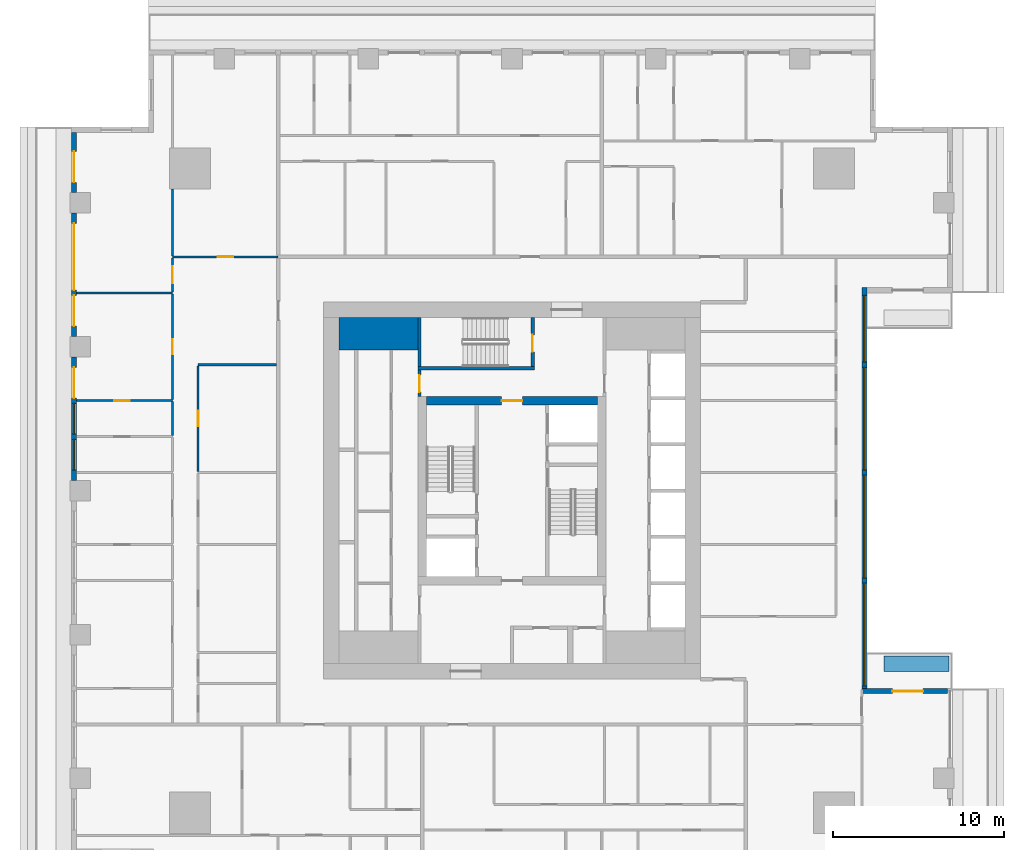
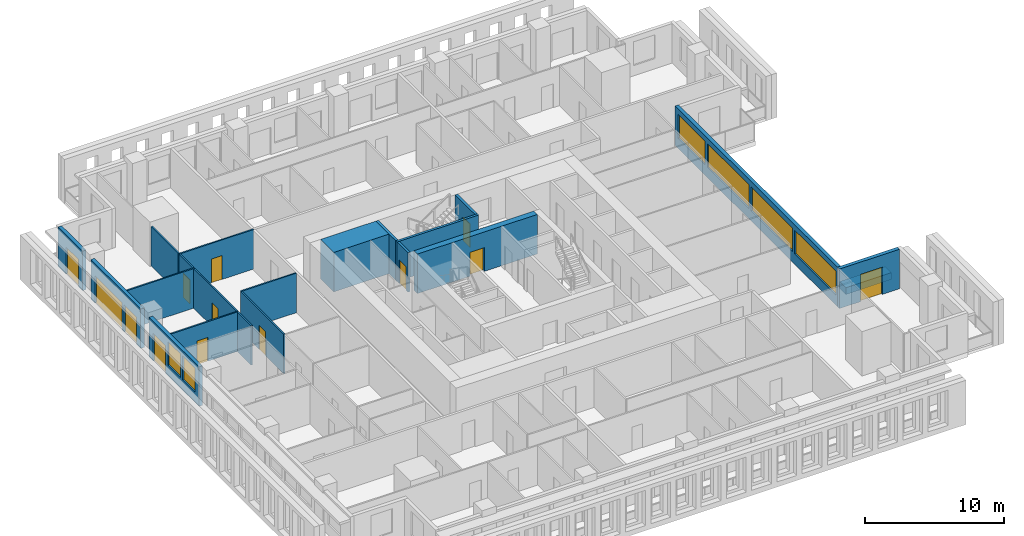
# One storey, part 6 of 15: 21 walls, 13 doors, 6 windows, 19 openings.
"""IFC4 building model written with IfcOpenShell, lengths in metres."""

from ifc_helpers import new_model, si_unit, direction, frame, frame_2d, origin, place, context, subcontext, project, spatial, rectangle, extrude, material, layer, layer_set, type_object, element, fill, save


model = new_model("IFC4")

# Units and contexts
model_context = context("Model", 3, precision=1e-05, world=origin(), true_north=direction((0.0, 1.0)))
body_context = subcontext(model_context, "Body", "Model", "MODEL_VIEW")
ifc_project = project(units=[si_unit("LENGTHUNIT", "METRE"), si_unit("AREAUNIT", "SQUARE_METRE"), si_unit("VOLUMEUNIT", "CUBIC_METRE"), si_unit("PLANEANGLEUNIT", "RADIAN"), si_unit("MASSUNIT", "GRAM", prefix="KILO")], contexts=[model_context])

# Site, building, storey
site_placement = place(None, origin())
site = spatial("IfcSite", under=ifc_project, at=site_placement, CompositionType="ELEMENT")
building_placement = place(site_placement, origin())
building = spatial("IfcBuilding", under=site, at=building_placement, Name="Khepri Terraces", CompositionType="ELEMENT")
storey_placement = place(building_placement, frame((0.0, 0.0, 219.60009765625)))
storey = spatial("IfcBuildingStorey", under=building, at=storey_placement, Name="L52", CompositionType="ELEMENT", Elevation=219.60009765625)

# Walls
ifc_material_1 = material(Name="Concrete C50/60", Category="concrete")
ifc_layer_1 = layer(ifc_material_1, 1.89990234375, Name="Concrete C50/60", Category="concrete")
ifc_layer_set_1 = layer_set([ifc_layer_1], Name="Concrete C50/60")
wall_type_1 = type_object("IfcWallType", Name="Core wall 1900 C50/60", PredefinedType="SHEAR", material=ifc_layer_set_1)
wall_1_placement = place(storey_placement, frame((-10.10009765625, 9.14990234375, 0.0), z_axis=(0.0, 0.0, 1.0), x_axis=(1.0, 0.0, 0.0)))
element("IfcWall", 1, at=wall_1_placement, inside=storey, type_object=wall_type_1, Name="Core wall PR03 L52", PredefinedType="SHEAR", context=body_context, shape_type="SweptSolid", body=[
    extrude(rectangle(XDim=4.60009765625, YDim=1.89990234375, at=frame_2d((2.300048828125, 0.0))), origin(), (0.0, 0.0, 1.0), 3.47998046875),
])
ifc_layer_2 = layer(ifc_material_1, 0.199951171875, Name="Concrete C50/60", Category="concrete")
ifc_layer_set_2 = layer_set([ifc_layer_2], Name="Concrete C50/60")
wall_type_2 = type_object("IfcWallType", Name="Core wall 200 C50/60", PredefinedType="SHEAR", material=ifc_layer_set_2)
wall_2_placement = place(storey_placement, frame((-5.5, 7.14990234375, 0.0), z_axis=(0.0, 0.0, 1.0), x_axis=(1.0, 0.0, 0.0)))
element("IfcWall", 2, at=wall_2_placement, inside=storey, type_object=wall_type_2, Name="Core wall ST05 L52", PredefinedType="SHEAR", context=body_context, shape_type="SweptSolid", body=[
    extrude(rectangle(XDim=6.800048828125, YDim=0.199951171875, at=frame_2d((3.39990234375, 0.0))), origin(), (0.0, 0.0, 1.0), 3.47998046875),
])
wall_3_placement = place(storey_placement, frame((-5.39990234375, 7.25, 0.0), z_axis=(0.0, 0.0, 1.0), x_axis=(0.0, 1.0, 0.0)))
element("IfcWall", 3, at=wall_3_placement, inside=storey, type_object=wall_type_2, Name="Core wall ST06 L52", PredefinedType="SHEAR", context=body_context, shape_type="SweptSolid", body=[
    extrude(rectangle(XDim=2.85009765625, YDim=0.199951171875, at=frame_2d((1.425048828125, 0.0))), origin(), (0.0, 0.0, 1.0), 3.47998046875),
])

# Wall, opening, door
wall_4_placement = place(storey_placement, frame((1.199951171875, 7.25, 0.0), z_axis=(0.0, 0.0, 1.0), x_axis=(0.0, 1.0, 0.0)))
wall_4 = element("IfcWall", 4, at=wall_4_placement, inside=storey, type_object=wall_type_2, Name="Core wall ST07 L52", PredefinedType="SHEAR", context=body_context, shape_type="SweptSolid", body=[
    extrude(rectangle(XDim=2.85009765625, YDim=0.199951171875, at=frame_2d((1.425048828125, 0.0))), origin(), (0.0, 0.0, 1.0), 3.47998046875),
])
opening_1_placement = place(wall_4_placement, frame((0.85009765625, 0.0, 0.0)))
opening_1 = element("IfcOpeningElement", 5, at=opening_1_placement, cuts=wall_4, Name="Opening L52-C15", PredefinedType="OPENING", context=body_context, shape_type="SweptSolid", body=[
    extrude(rectangle(XDim=1.0, YDim=2.10009765625, at=frame_2d((0.5, 1.050048828125))), frame((0.0, 0.10986328125, 0.0), z_axis=(0.0, -1.0, 0.0), x_axis=(1.0, 0.0, 0.0)), (0.0, 0.0, 1.0), 0.219970703125),
])
ifc_material_2 = material(Name="Painted steel", Category="steel")
door_type_1 = type_object("IfcDoorType", Name="DR-CORE-STAIR-1000", OperationType="NOTDEFINED", PredefinedType="DOOR", material=ifc_material_2)
door_1_placement = place(opening_1_placement, origin())
door_1 = element("IfcDoor", 6, at=door_1_placement, inside=storey, type_object=door_type_1, Name="Stair door L52-C15", OperationType="SINGLE_SWING_LEFT", OverallHeight=2.10009765625, OverallWidth=1.0, PredefinedType="DOOR", context=body_context, shape_type="SweptSolid", body=[
    extrude(rectangle(XDim=1.0, YDim=2.10009765625, at=frame_2d((0.5, 1.050048828125))), frame((0.0, 0.02490234375, 0.0), z_axis=(0.0, -1.0, 0.0), x_axis=(1.0, 0.0, 0.0)), (0.0, 0.0, 1.0), 0.050048828125),
])
fill(opening_1, door_1)

ifc_layer_3 = layer(ifc_material_1, 0.5, Name="Concrete C50/60", Category="concrete")
ifc_layer_set_3 = layer_set([ifc_layer_3], Name="Concrete C50/60")
wall_type_3 = type_object("IfcWallType", Name="Core wall 500 C50/60", PredefinedType="SHEAR", material=ifc_layer_set_3)
wall_5_placement = place(storey_placement, frame((-5.0, 5.25, 0.0), z_axis=(0.0, 0.0, 1.0), x_axis=(1.0, 0.0, 0.0)))
wall_5 = element("IfcWall", 7, at=wall_5_placement, inside=storey, type_object=wall_type_3, Name="Core wall BX04 L52", PredefinedType="SHEAR", context=body_context, shape_type="SweptSolid", body=[
    extrude(rectangle(XDim=10.0, YDim=0.5, at=frame_2d((5.0, 0.0))), origin(), (0.0, 0.0, 1.0), 3.47998046875),
])
opening_2_placement = place(wall_5_placement, frame((4.39990234375, 0.0, 0.0)))
opening_2 = element("IfcOpeningElement", 8, at=opening_2_placement, cuts=wall_5, Name="Opening L52-C13", PredefinedType="OPENING", context=body_context, shape_type="SweptSolid", body=[
    extrude(rectangle(XDim=1.199951171875, YDim=2.10009765625, at=frame_2d((0.60009765625, 1.050048828125))), frame((0.0, 0.260009765625, 0.0), z_axis=(0.0, -1.0, 0.0), x_axis=(1.0, 0.0, 0.0)), (0.0, 0.0, 1.0), 0.52001953125),
])
door_type_2 = type_object("IfcDoorType", Name="DR-CORE-FF-LOBBY-1200", OperationType="NOTDEFINED", PredefinedType="DOOR", material=ifc_material_2)
door_2_placement = place(opening_2_placement, frame((1.199951171875, 0.0, 0.0), z_axis=(0.0, 0.0, 1.0), x_axis=(-1.0, 0.0, 0.0)))
door_2 = element("IfcDoor", 9, at=door_2_placement, inside=storey, type_object=door_type_2, Name="Firefighting lobby door L52-C13", OperationType="SINGLE_SWING_LEFT", OverallHeight=2.10009765625, OverallWidth=1.199951171875, PredefinedType="DOOR", context=body_context, shape_type="SweptSolid", body=[
    extrude(rectangle(XDim=1.199951171875, YDim=2.10009765625, at=frame_2d((0.60009765625, 1.050048828125))), frame((0.0, 0.02490234375, 0.0), z_axis=(0.0, -1.0, 0.0), x_axis=(1.0, 0.0, 0.0)), (0.0, 0.0, 1.0), 0.050048828125),
])
fill(opening_2, door_2)

ifc_material_3 = material(Name="Fire-rated gypsum board partition")
ifc_layer_4 = layer(ifc_material_3, 0.199951171875, Name="Fire-rated gypsum board partition")
ifc_layer_set_4 = layer_set([ifc_layer_4], Name="Fire-rated gypsum board partition")
wall_type_4 = type_object("IfcWallType", Name="WL-CORE-PART-200", PredefinedType="PARTITIONING", material=ifc_layer_set_4)
wall_6_placement = place(storey_placement, frame((-5.39990234375, 5.5, 0.0), z_axis=(0.0, 0.0, 1.0), x_axis=(0.0, 1.0, 0.0)))
wall_6 = element("IfcWall", 10, at=wall_6_placement, inside=storey, type_object=wall_type_4, Name="Core partition PT11 L52", PredefinedType="PARTITIONING", context=body_context, shape_type="SweptSolid", body=[
    extrude(rectangle(XDim=1.550048828125, YDim=0.199951171875, at=frame_2d((0.77490234375, 0.0))), origin(), (0.0, 0.0, 1.0), 3.47998046875),
])
opening_3_placement = place(wall_6_placement, frame((0.25, 0.0, 0.0)))
opening_3 = element("IfcOpeningElement", 11, at=opening_3_placement, cuts=wall_6, Name="Opening L52-C16", PredefinedType="OPENING", context=body_context, shape_type="SweptSolid", body=[
    extrude(rectangle(XDim=1.0, YDim=2.10009765625, at=frame_2d((0.5, 1.050048828125))), frame((0.0, 0.10986328125, 0.0), z_axis=(0.0, -1.0, 0.0), x_axis=(1.0, 0.0, 0.0)), (0.0, 0.0, 1.0), 0.219970703125),
])
door_type_3 = type_object("IfcDoorType", Name="DR-CORE-LOBBY-1000", OperationType="NOTDEFINED", PredefinedType="DOOR", material=ifc_material_2)
door_3_placement = place(opening_3_placement, frame((1.0, 0.0, 0.0), z_axis=(0.0, 0.0, 1.0), x_axis=(-1.0, 0.0, 0.0)))
door_3 = element("IfcDoor", 12, at=door_3_placement, inside=storey, type_object=door_type_3, Name="Lobby door L52-C16", OperationType="SINGLE_SWING_RIGHT", OverallHeight=2.10009765625, OverallWidth=1.0, PredefinedType="DOOR", context=body_context, shape_type="SweptSolid", body=[
    extrude(rectangle(XDim=1.0, YDim=2.10009765625, at=frame_2d((0.5, 1.050048828125))), frame((0.0, 0.02490234375, 0.0), z_axis=(0.0, -1.0, 0.0), x_axis=(1.0, 0.0, 0.0)), (0.0, 0.0, 1.0), 0.050048828125),
])
fill(opening_3, door_3)

ifc_material_4 = material(Name="Precast concrete C50/60 warm stone", Category="masonry")
ifc_layer_5 = layer(ifc_material_4, 0.300048828125, Name="Precast concrete C50/60 warm stone", Category="masonry")
ifc_layer_set_5 = layer_set([ifc_layer_5], Name="Precast concrete C50/60 warm stone")
wall_type_5 = type_object("IfcWallType", Name="WL-EXT-PRECAST-300", PredefinedType="STANDARD", material=ifc_layer_set_5)
wall_7_placement = place(storey_placement, frame((25.419921875, -11.699951171875, 0.0), z_axis=(0.0, 0.0, 1.0), x_axis=(-1.0, 0.0, 0.0)))
wall_7 = element("IfcWall", 13, at=wall_7_placement, inside=storey, type_object=wall_type_5, Name="External wall L52 N", PredefinedType="STANDARD", context=body_context, shape_type="SweptSolid", body=[
    extrude(rectangle(XDim=5.0, YDim=0.300048828125, at=frame_2d((2.5, 0.0))), origin(), (0.0, 0.0, 1.0), 3.47998046875),
])
opening_4_placement = place(wall_7_placement, frame((1.419921875, 0.0, 0.0)))
opening_4 = element("IfcOpeningElement", 14, at=opening_4_placement, cuts=wall_7, Name="Opening ED-L52-03", PredefinedType="OPENING", context=body_context, shape_type="SweptSolid", body=[
    extrude(rectangle(XDim=1.800048828125, YDim=2.39990234375, at=frame_2d((0.89990234375, 1.199951171875))), frame((0.0, 0.16015625, 0.0), z_axis=(0.0, -1.0, 0.0), x_axis=(1.0, 0.0, 0.0)), (0.0, 0.0, 1.0), 0.320068359375),
])
ifc_material_5 = material(Name="Anodised aluminium bronze glazed door", Category="aluminium")
door_type_4 = type_object("IfcDoorType", Name="DR-BAL-SLIDE-1800x2400", OperationType="NOTDEFINED", PredefinedType="DOOR", material=ifc_material_5)
door_4_placement = place(opening_4_placement, origin())
door_4 = element("IfcDoor", 15, at=door_4_placement, inside=storey, type_object=door_type_4, Name="Balcony door L52 N", OperationType="SLIDING_TO_LEFT", OverallHeight=2.39990234375, OverallWidth=1.800048828125, PredefinedType="DOOR", context=body_context, shape_type="SweptSolid", body=[
    extrude(rectangle(XDim=1.800048828125, YDim=2.39990234375, at=frame_2d((0.89990234375, 1.199951171875))), frame((0.0, 0.02490234375, 0.0), z_axis=(0.0, -1.0, 0.0), x_axis=(1.0, 0.0, 0.0)), (0.0, 0.0, 1.0), 0.050048828125),
])
fill(opening_4, door_4)

# Wall, openings, windows
wall_8_placement = place(storey_placement, frame((20.570068359375, -11.550048828125, 0.0), z_axis=(0.0, 0.0, 1.0), x_axis=(0.0, 1.0, 0.0)))
wall_8 = element("IfcWall", 16, at=wall_8_placement, inside=storey, type_object=wall_type_5, Name="External wall L52 E", PredefinedType="STANDARD", context=body_context, shape_type="SweptSolid", body=[
    extrude(rectangle(XDim=23.400146484375, YDim=0.300048828125, at=frame_2d((11.7001953125, 0.0))), origin(), (0.0, 0.0, 1.0), 3.47998046875),
])
opening_5_placement = place(wall_8_placement, frame((0.14990234375, 0.0, 0.89990234375)))
opening_5 = element("IfcOpeningElement", 17, at=opening_5_placement, cuts=wall_8, Name="Opening W3", PredefinedType="OPENING", context=body_context, shape_type="SweptSolid", body=[
    extrude(rectangle(XDim=6.0, YDim=2.10009765625, at=frame_2d((3.0, 1.050048828125))), frame((0.0, 0.16015625, 0.0), z_axis=(0.0, -1.0, 0.0), x_axis=(1.0, 0.0, 0.0)), (0.0, 0.0, 1.0), 0.320068359375),
])
opening_6_placement = place(wall_8_placement, frame((6.449951171875, 0.0, 0.89990234375)))
opening_6 = element("IfcOpeningElement", 18, at=opening_6_placement, cuts=wall_8, Name="Opening W3", PredefinedType="OPENING", context=body_context, shape_type="SweptSolid", body=[
    extrude(rectangle(XDim=6.0, YDim=2.10009765625, at=frame_2d((3.0, 1.050048828125))), frame((0.0, 0.16015625, 0.0), z_axis=(0.0, -1.0, 0.0), x_axis=(1.0, 0.0, 0.0)), (0.0, 0.0, 1.0), 0.320068359375),
])
opening_7_placement = place(wall_8_placement, frame((12.75, 0.0, 0.89990234375)))
opening_7 = element("IfcOpeningElement", 19, at=opening_7_placement, cuts=wall_8, Name="Opening W3", PredefinedType="OPENING", context=body_context, shape_type="SweptSolid", body=[
    extrude(rectangle(XDim=6.0, YDim=2.10009765625, at=frame_2d((3.0, 1.050048828125))), frame((0.0, 0.16015625, 0.0), z_axis=(0.0, -1.0, 0.0), x_axis=(1.0, 0.0, 0.0)), (0.0, 0.0, 1.0), 0.320068359375),
])
opening_8_placement = place(wall_8_placement, frame((19.050048828125, 0.0, 0.89990234375)))
opening_8 = element("IfcOpeningElement", 20, at=opening_8_placement, cuts=wall_8, Name="Opening W2", PredefinedType="OPENING", context=body_context, shape_type="SweptSolid", body=[
    extrude(rectangle(XDim=3.89990234375, YDim=2.10009765625, at=frame_2d((1.949951171875, 1.050048828125))), frame((0.0, 0.16015625, 0.0), z_axis=(0.0, -1.0, 0.0), x_axis=(1.0, 0.0, 0.0)), (0.0, 0.0, 1.0), 0.320068359375),
])
ifc_material_6 = material(Name="Clear glass", Category="glass")
window_type_1 = type_object("IfcWindowType", Name="WIN-RES-3900x2100", PartitioningType="SINGLE_PANEL", PredefinedType="WINDOW", material=ifc_material_6)
window_1_placement = place(opening_8_placement, origin())
window_1 = element("IfcWindow", 21, at=window_1_placement, inside=storey, type_object=window_type_1, Name="Window L52 E", OverallHeight=2.10009765625, OverallWidth=3.89990234375, PartitioningType="SINGLE_PANEL", PredefinedType="WINDOW", context=body_context, shape_type="SweptSolid", body=[
    extrude(rectangle(XDim=3.89990234375, YDim=2.10009765625, at=frame_2d((1.949951171875, 1.050048828125))), frame((0.0, 0.030029296875, 0.0), z_axis=(0.0, -1.0, 0.0), x_axis=(1.0, 0.0, 0.0)), (0.0, 0.0, 1.0), 0.06005859375),
])
fill(opening_8, window_1)
window_type_2 = type_object("IfcWindowType", Name="WIN-RES-6000x2100", PartitioningType="SINGLE_PANEL", PredefinedType="WINDOW", material=ifc_material_6)
window_2_placement = place(opening_5_placement, origin())
window_2 = element("IfcWindow", 22, at=window_2_placement, inside=storey, type_object=window_type_2, Name="Window L52 E", OverallHeight=2.10009765625, OverallWidth=6.0, PartitioningType="SINGLE_PANEL", PredefinedType="WINDOW", context=body_context, shape_type="SweptSolid", body=[
    extrude(rectangle(XDim=6.0, YDim=2.10009765625, at=frame_2d((3.0, 1.050048828125))), frame((0.0, 0.030029296875, 0.0), z_axis=(0.0, -1.0, 0.0), x_axis=(1.0, 0.0, 0.0)), (0.0, 0.0, 1.0), 0.06005859375),
])
fill(opening_5, window_2)
window_3_placement = place(opening_6_placement, origin())
window_3 = element("IfcWindow", 23, at=window_3_placement, inside=storey, type_object=window_type_2, Name="Window L52 E", OverallHeight=2.10009765625, OverallWidth=6.0, PartitioningType="SINGLE_PANEL", PredefinedType="WINDOW", context=body_context, shape_type="SweptSolid", body=[
    extrude(rectangle(XDim=6.0, YDim=2.10009765625, at=frame_2d((3.0, 1.050048828125))), frame((0.0, 0.030029296875, 0.0), z_axis=(0.0, -1.0, 0.0), x_axis=(1.0, 0.0, 0.0)), (0.0, 0.0, 1.0), 0.06005859375),
])
fill(opening_6, window_3)
window_4_placement = place(opening_7_placement, origin())
window_4 = element("IfcWindow", 24, at=window_4_placement, inside=storey, type_object=window_type_2, Name="Window L52 E", OverallHeight=2.10009765625, OverallWidth=6.0, PartitioningType="SINGLE_PANEL", PredefinedType="WINDOW", context=body_context, shape_type="SweptSolid", body=[
    extrude(rectangle(XDim=6.0, YDim=2.10009765625, at=frame_2d((3.0, 1.050048828125))), frame((0.0, 0.030029296875, 0.0), z_axis=(0.0, -1.0, 0.0), x_axis=(1.0, 0.0, 0.0)), (0.0, 0.0, 1.0), 0.06005859375),
])
fill(opening_7, window_4)

# Wall, opening, door
wall_9_placement = place(storey_placement, frame((-25.570068359375, 20.919921875, 0.0), z_axis=(0.0, 0.0, 1.0), x_axis=(0.0, -1.0, 0.0)))
wall_9 = element("IfcWall", 25, at=wall_9_placement, inside=storey, type_object=wall_type_5, Name="External wall L52 W", PredefinedType="STANDARD", context=body_context, shape_type="SweptSolid", body=[
    extrude(rectangle(XDim=3.52001953125, YDim=0.300048828125, at=frame_2d((1.760009765625, 0.0))), origin(), (0.0, 0.0, 1.0), 3.47998046875),
])
opening_9_placement = place(wall_9_placement, frame((1.1201171875, 0.0, 0.0)))
opening_9 = element("IfcOpeningElement", 26, at=opening_9_placement, cuts=wall_9, Name="Opening ED-L52-12", PredefinedType="OPENING", context=body_context, shape_type="SweptSolid", body=[
    extrude(rectangle(XDim=1.800048828125, YDim=2.39990234375, at=frame_2d((0.89990234375, 1.199951171875))), frame((0.0, 0.16015625, 0.0), z_axis=(0.0, -1.0, 0.0), x_axis=(1.0, 0.0, 0.0)), (0.0, 0.0, 1.0), 0.320068359375),
])
door_5_placement = place(opening_9_placement, origin())
door_5 = element("IfcDoor", 27, at=door_5_placement, inside=storey, type_object=door_type_4, Name="Balcony door L52 W", OperationType="SLIDING_TO_RIGHT", OverallHeight=2.39990234375, OverallWidth=1.800048828125, PredefinedType="DOOR", context=body_context, shape_type="SweptSolid", body=[
    extrude(rectangle(XDim=1.800048828125, YDim=2.39990234375, at=frame_2d((0.89990234375, 1.199951171875))), frame((0.0, 0.02490234375, 0.0), z_axis=(0.0, -1.0, 0.0), x_axis=(1.0, 0.0, 0.0)), (0.0, 0.0, 1.0), 0.050048828125),
])
fill(opening_9, door_5)

# Wall, openings, doors
wall_10_placement = place(storey_placement, frame((-25.570068359375, 16.199951171875, 0.0), z_axis=(0.0, 0.0, 1.0), x_axis=(0.0, -1.0, 0.0)))
wall_10 = element("IfcWall", 28, at=wall_10_placement, inside=storey, type_object=wall_type_5, Name="External wall L52 W", PredefinedType="STANDARD", context=body_context, shape_type="SweptSolid", body=[
    extrude(rectangle(XDim=7.199951171875, YDim=0.300048828125, at=frame_2d((3.60009765625, 0.0))), origin(), (0.0, 0.0, 1.0), 3.47998046875),
])
opening_10_placement = place(wall_10_placement, frame((0.60009765625, 0.0, 0.0)))
opening_10 = element("IfcOpeningElement", 29, at=opening_10_placement, cuts=wall_10, Name="Opening ED-L52-13", PredefinedType="OPENING", context=body_context, shape_type="SweptSolid", body=[
    extrude(rectangle(XDim=3.89990234375, YDim=2.39990234375, at=frame_2d((1.949951171875, 1.199951171875))), frame((0.0, 0.16015625, 0.0), z_axis=(0.0, -1.0, 0.0), x_axis=(1.0, 0.0, 0.0)), (0.0, 0.0, 1.0), 0.320068359375),
])
opening_11_placement = place(wall_10_placement, frame((4.800048828125, 0.0, 0.0)))
opening_11 = element("IfcOpeningElement", 30, at=opening_11_placement, cuts=wall_10, Name="Opening ED-L52-14", PredefinedType="OPENING", context=body_context, shape_type="SweptSolid", body=[
    extrude(rectangle(XDim=1.800048828125, YDim=2.39990234375, at=frame_2d((0.89990234375, 1.199951171875))), frame((0.0, 0.16015625, 0.0), z_axis=(0.0, -1.0, 0.0), x_axis=(1.0, 0.0, 0.0)), (0.0, 0.0, 1.0), 0.320068359375),
])
door_6_placement = place(opening_11_placement, origin())
door_6 = element("IfcDoor", 31, at=door_6_placement, inside=storey, type_object=door_type_4, Name="Balcony door L52 W", OperationType="SLIDING_TO_RIGHT", OverallHeight=2.39990234375, OverallWidth=1.800048828125, PredefinedType="DOOR", context=body_context, shape_type="SweptSolid", body=[
    extrude(rectangle(XDim=1.800048828125, YDim=2.39990234375, at=frame_2d((0.89990234375, 1.199951171875))), frame((0.0, 0.02490234375, 0.0), z_axis=(0.0, -1.0, 0.0), x_axis=(1.0, 0.0, 0.0)), (0.0, 0.0, 1.0), 0.050048828125),
])
fill(opening_11, door_6)
door_type_5 = type_object("IfcDoorType", Name="DR-BAL-SLIDE-3900x2400", OperationType="NOTDEFINED", PredefinedType="DOOR", material=ifc_material_5)
door_7_placement = place(opening_10_placement, origin())
door_7 = element("IfcDoor", 32, at=door_7_placement, inside=storey, type_object=door_type_5, Name="Balcony door L52 W", OperationType="SLIDING_TO_LEFT", OverallHeight=2.39990234375, OverallWidth=3.89990234375, PredefinedType="DOOR", context=body_context, shape_type="SweptSolid", body=[
    extrude(rectangle(XDim=3.89990234375, YDim=2.39990234375, at=frame_2d((1.949951171875, 1.199951171875))), frame((0.0, 0.02490234375, 0.0), z_axis=(0.0, -1.0, 0.0), x_axis=(1.0, 0.0, 0.0)), (0.0, 0.0, 1.0), 0.050048828125),
])
fill(opening_10, door_7)

# Wall, openings, door, windows
wall_11_placement = place(storey_placement, frame((-25.570068359375, 7.800048828125, 0.0), z_axis=(0.0, 0.0, 1.0), x_axis=(0.0, -1.0, 0.0)))
wall_11 = element("IfcWall", 33, at=wall_11_placement, inside=storey, type_object=wall_type_5, Name="External wall L52 W", PredefinedType="STANDARD", context=body_context, shape_type="SweptSolid", body=[
    extrude(rectangle(XDim=7.199951171875, YDim=0.300048828125, at=frame_2d((3.60009765625, 0.0))), origin(), (0.0, 0.0, 1.0), 3.47998046875),
])
opening_12_placement = place(wall_11_placement, frame((0.60009765625, 0.0, 0.0)))
opening_12 = element("IfcOpeningElement", 34, at=opening_12_placement, cuts=wall_11, Name="Opening ED-L52-15", PredefinedType="OPENING", context=body_context, shape_type="SweptSolid", body=[
    extrude(rectangle(XDim=1.800048828125, YDim=2.39990234375, at=frame_2d((0.89990234375, 1.199951171875))), frame((0.0, 0.16015625, 0.0), z_axis=(0.0, -1.0, 0.0), x_axis=(1.0, 0.0, 0.0)), (0.0, 0.0, 1.0), 0.320068359375),
])
opening_13_placement = place(wall_11_placement, frame((2.699951171875, 0.0, 0.89990234375)))
opening_13 = element("IfcOpeningElement", 35, at=opening_13_placement, cuts=wall_11, Name="Opening W1", PredefinedType="OPENING", context=body_context, shape_type="SweptSolid", body=[
    extrude(rectangle(XDim=1.800048828125, YDim=2.10009765625, at=frame_2d((0.89990234375, 1.050048828125))), frame((0.0, 0.16015625, 0.0), z_axis=(0.0, -1.0, 0.0), x_axis=(1.0, 0.0, 0.0)), (0.0, 0.0, 1.0), 0.320068359375),
])
opening_14_placement = place(wall_11_placement, frame((4.800048828125, 0.0, 0.89990234375)))
opening_14 = element("IfcOpeningElement", 36, at=opening_14_placement, cuts=wall_11, Name="Opening W1", PredefinedType="OPENING", context=body_context, shape_type="SweptSolid", body=[
    extrude(rectangle(XDim=1.800048828125, YDim=2.10009765625, at=frame_2d((0.89990234375, 1.050048828125))), frame((0.0, 0.16015625, 0.0), z_axis=(0.0, -1.0, 0.0), x_axis=(1.0, 0.0, 0.0)), (0.0, 0.0, 1.0), 0.320068359375),
])
door_8_placement = place(opening_12_placement, origin())
door_8 = element("IfcDoor", 37, at=door_8_placement, inside=storey, type_object=door_type_4, Name="Balcony door L52 W", OperationType="SLIDING_TO_LEFT", OverallHeight=2.39990234375, OverallWidth=1.800048828125, PredefinedType="DOOR", context=body_context, shape_type="SweptSolid", body=[
    extrude(rectangle(XDim=1.800048828125, YDim=2.39990234375, at=frame_2d((0.89990234375, 1.199951171875))), frame((0.0, 0.02490234375, 0.0), z_axis=(0.0, -1.0, 0.0), x_axis=(1.0, 0.0, 0.0)), (0.0, 0.0, 1.0), 0.050048828125),
])
fill(opening_12, door_8)
window_type_3 = type_object("IfcWindowType", Name="WIN-RES-1800x2100", PartitioningType="SINGLE_PANEL", PredefinedType="WINDOW", material=ifc_material_6)
window_5_placement = place(opening_13_placement, origin())
window_5 = element("IfcWindow", 38, at=window_5_placement, inside=storey, type_object=window_type_3, Name="Window L52 W", OverallHeight=2.10009765625, OverallWidth=1.800048828125, PartitioningType="SINGLE_PANEL", PredefinedType="WINDOW", context=body_context, shape_type="SweptSolid", body=[
    extrude(rectangle(XDim=1.800048828125, YDim=2.10009765625, at=frame_2d((0.89990234375, 1.050048828125))), frame((0.0, 0.030029296875, 0.0), z_axis=(0.0, -1.0, 0.0), x_axis=(1.0, 0.0, 0.0)), (0.0, 0.0, 1.0), 0.06005859375),
])
fill(opening_13, window_5)
window_6_placement = place(opening_14_placement, origin())
window_6 = element("IfcWindow", 39, at=window_6_placement, inside=storey, type_object=window_type_3, Name="Window L52 W", OverallHeight=2.10009765625, OverallWidth=1.800048828125, PartitioningType="SINGLE_PANEL", PredefinedType="WINDOW", context=body_context, shape_type="SweptSolid", body=[
    extrude(rectangle(XDim=1.800048828125, YDim=2.10009765625, at=frame_2d((0.89990234375, 1.050048828125))), frame((0.0, 0.030029296875, 0.0), z_axis=(0.0, -1.0, 0.0), x_axis=(1.0, 0.0, 0.0)), (0.0, 0.0, 1.0), 0.06005859375),
])
fill(opening_14, window_6)

# Wall, opening, door
ifc_material_7 = material(Name="Gypsum plasterboard partition")
ifc_layer_6 = layer(ifc_material_7, 0.1201171875, Name="Gypsum plasterboard partition")
ifc_layer_set_6 = layer_set([ifc_layer_6], Name="Gypsum plasterboard partition")
wall_type_6 = type_object("IfcWallType", Name="WL-PART-120", PredefinedType="PARTITIONING", material=ifc_layer_set_6)
wall_12_placement = place(storey_placement, frame((-18.320068359375, 1.110107421875, 0.0), z_axis=(0.0, 0.0, 1.0), x_axis=(0.0, 1.0, 0.0)))
wall_12 = element("IfcWall", 40, at=wall_12_placement, inside=storey, type_object=wall_type_6, Name="Partition P-051 L52", PredefinedType="PARTITIONING", context=body_context, shape_type="SweptSolid", body=[
    extrude(rectangle(XDim=6.179931640625, YDim=0.1201171875, at=frame_2d((3.08984375, 0.0))), origin(), (0.0, 0.0, 1.0), 3.47998046875),
])
opening_15_placement = place(wall_12_placement, frame((2.639892578125, 0.0, 0.0)))
opening_15 = element("IfcOpeningElement", 41, at=opening_15_placement, cuts=wall_12, Name="Opening D3", PredefinedType="OPENING", context=body_context, shape_type="SweptSolid", body=[
    extrude(rectangle(XDim=0.89990234375, YDim=2.10009765625, at=frame_2d((0.449951171875, 1.050048828125))), frame((0.0, 0.070068359375, 0.0), z_axis=(0.0, -1.0, 0.0), x_axis=(1.0, 0.0, 0.0)), (0.0, 0.0, 1.0), 0.14013671875),
])
ifc_material_8 = material(Name="Timber door leaf", Category="wood")
door_type_6 = type_object("IfcDoorType", Name="DR-INT-900", OperationType="NOTDEFINED", PredefinedType="DOOR", material=ifc_material_8)
door_9_placement = place(opening_15_placement, frame((0.89990234375, 0.0, 0.0), z_axis=(0.0, 0.0, 1.0), x_axis=(-1.0, 0.0, 0.0)))
door_9 = element("IfcDoor", 42, at=door_9_placement, inside=storey, type_object=door_type_6, Name="Door Kitchen", OperationType="SINGLE_SWING_LEFT", OverallHeight=2.10009765625, OverallWidth=0.89990234375, PredefinedType="DOOR", context=body_context, shape_type="SweptSolid", body=[
    extrude(rectangle(XDim=0.89990234375, YDim=2.10009765625, at=frame_2d((0.449951171875, 1.050048828125))), frame((0.0, 0.02490234375, 0.0), z_axis=(0.0, -1.0, 0.0), x_axis=(1.0, 0.0, 0.0)), (0.0, 0.0, 1.0), 0.050048828125),
])
fill(opening_15, door_9)

# Wall
wall_13_placement = place(storey_placement, frame((-19.820068359375, 3.2099609375, 0.0), z_axis=(0.0, 0.0, 1.0), x_axis=(0.0, 1.0, 0.0)))
element("IfcWall", 43, at=wall_13_placement, inside=storey, type_object=wall_type_6, Name="Partition P-054 L52", PredefinedType="PARTITIONING", context=body_context, shape_type="SweptSolid", body=[
    extrude(rectangle(XDim=1.97998046875, YDim=0.1201171875, at=frame_2d((0.989990234375, 0.0))), origin(), (0.0, 0.0, 1.0), 3.47998046875),
])

# Wall, opening, door
wall_14_placement = place(storey_placement, frame((-25.419921875, 5.25, 0.0), z_axis=(0.0, 0.0, 1.0), x_axis=(1.0, 0.0, 0.0)))
wall_14 = element("IfcWall", 44, at=wall_14_placement, inside=storey, type_object=wall_type_6, Name="Partition P-055 L52", PredefinedType="PARTITIONING", context=body_context, shape_type="SweptSolid", body=[
    extrude(rectangle(XDim=5.599853515625, YDim=0.1201171875, at=frame_2d((2.7998046875, 0.0))), origin(), (0.0, 0.0, 1.0), 3.47998046875),
])
opening_16_placement = place(wall_14_placement, frame((2.199951171875, 0.0, 0.0)))
opening_16 = element("IfcOpeningElement", 45, at=opening_16_placement, cuts=wall_14, Name="Opening D3", PredefinedType="OPENING", context=body_context, shape_type="SweptSolid", body=[
    extrude(rectangle(XDim=0.89990234375, YDim=2.10009765625, at=frame_2d((0.449951171875, 1.050048828125))), frame((0.0, 0.070068359375, 0.0), z_axis=(0.0, -1.0, 0.0), x_axis=(1.0, 0.0, 0.0)), (0.0, 0.0, 1.0), 0.14013671875),
])
door_10_placement = place(opening_16_placement, frame((0.89990234375, 0.0, 0.0), z_axis=(0.0, 0.0, 1.0), x_axis=(-1.0, 0.0, 0.0)))
door_10 = element("IfcDoor", 46, at=door_10_placement, inside=storey, type_object=door_type_6, Name="Door Dressing Room", OperationType="SINGLE_SWING_RIGHT", OverallHeight=2.10009765625, OverallWidth=0.89990234375, PredefinedType="DOOR", context=body_context, shape_type="SweptSolid", body=[
    extrude(rectangle(XDim=0.89990234375, YDim=2.10009765625, at=frame_2d((0.449951171875, 1.050048828125))), frame((0.0, 0.02490234375, 0.0), z_axis=(0.0, -1.0, 0.0), x_axis=(1.0, 0.0, 0.0)), (0.0, 0.0, 1.0), 0.050048828125),
])
fill(opening_16, door_10)

wall_15_placement = place(storey_placement, frame((-19.820068359375, 5.31005859375, 0.0), z_axis=(0.0, 0.0, 1.0), x_axis=(0.0, 1.0, 0.0)))
wall_15 = element("IfcWall", 47, at=wall_15_placement, inside=storey, type_object=wall_type_6, Name="Partition P-057 L52", PredefinedType="PARTITIONING", context=body_context, shape_type="SweptSolid", body=[
    extrude(rectangle(XDim=6.179931640625, YDim=0.1201171875, at=frame_2d((3.08984375, 0.0))), origin(), (0.0, 0.0, 1.0), 3.47998046875),
])
opening_17_placement = place(wall_15_placement, frame((2.639892578125, 0.0, 0.0)))
opening_17 = element("IfcOpeningElement", 48, at=opening_17_placement, cuts=wall_15, Name="Opening D3", PredefinedType="OPENING", context=body_context, shape_type="SweptSolid", body=[
    extrude(rectangle(XDim=0.89990234375, YDim=2.10009765625, at=frame_2d((0.449951171875, 1.050048828125))), frame((0.0, 0.070068359375, 0.0), z_axis=(0.0, -1.0, 0.0), x_axis=(1.0, 0.0, 0.0)), (0.0, 0.0, 1.0), 0.14013671875),
])
door_11_placement = place(opening_17_placement, origin())
door_11 = element("IfcDoor", 49, at=door_11_placement, inside=storey, type_object=door_type_6, Name="Door Master Bedroom", OperationType="SINGLE_SWING_RIGHT", OverallHeight=2.10009765625, OverallWidth=0.89990234375, PredefinedType="DOOR", context=body_context, shape_type="SweptSolid", body=[
    extrude(rectangle(XDim=0.89990234375, YDim=2.10009765625, at=frame_2d((0.449951171875, 1.050048828125))), frame((0.0, 0.02490234375, 0.0), z_axis=(0.0, -1.0, 0.0), x_axis=(1.0, 0.0, 0.0)), (0.0, 0.0, 1.0), 0.050048828125),
])
fill(opening_17, door_11)

# Walls
wall_16_placement = place(storey_placement, frame((-18.320068359375, 7.35009765625, 0.0), z_axis=(0.0, 0.0, 1.0), x_axis=(1.0, 0.0, 0.0)))
element("IfcWall", 50, at=wall_16_placement, inside=storey, type_object=wall_type_6, Name="Partition P-059 L52", PredefinedType="PARTITIONING", context=body_context, shape_type="SweptSolid", body=[
    extrude(rectangle(XDim=4.570068359375, YDim=0.1201171875, at=frame_2d((2.28515625, 0.0))), origin(), (0.0, 0.0, 1.0), 3.47998046875),
])
wall_17_placement = place(storey_placement, frame((-25.419921875, 11.550048828125, 0.0), z_axis=(0.0, 0.0, 1.0), x_axis=(1.0, 0.0, 0.0)))
element("IfcWall", 51, at=wall_17_placement, inside=storey, type_object=wall_type_6, Name="Partition P-066 L52", PredefinedType="PARTITIONING", context=body_context, shape_type="SweptSolid", body=[
    extrude(rectangle(XDim=5.599853515625, YDim=0.1201171875, at=frame_2d((2.7998046875, 0.0))), origin(), (0.0, 0.0, 1.0), 3.47998046875),
])

# Wall, opening, door
wall_18_placement = place(storey_placement, frame((-19.820068359375, 11.610107421875, 0.0), z_axis=(0.0, 0.0, 1.0), x_axis=(0.0, 1.0, 0.0)))
wall_18 = element("IfcWall", 52, at=wall_18_placement, inside=storey, type_object=wall_type_6, Name="Partition P-067 L52", PredefinedType="PARTITIONING", context=body_context, shape_type="SweptSolid", body=[
    extrude(rectangle(XDim=1.97998046875, YDim=0.1201171875, at=frame_2d((0.989990234375, 0.0))), origin(), (0.0, 0.0, 1.0), 3.47998046875),
])
opening_18_placement = place(wall_18_placement, frame((0.489990234375, 0.0, 0.0)))
opening_18 = element("IfcOpeningElement", 53, at=opening_18_placement, cuts=wall_18, Name="Opening D2", PredefinedType="OPENING", context=body_context, shape_type="SweptSolid", body=[
    extrude(rectangle(XDim=1.0, YDim=2.10009765625, at=frame_2d((0.5, 1.050048828125))), frame((0.0, 0.070068359375, 0.0), z_axis=(0.0, -1.0, 0.0), x_axis=(1.0, 0.0, 0.0)), (0.0, 0.0, 1.0), 0.14013671875),
])
ifc_material_9 = material(Name="Timber door leaf, living room door", Category="wood")
door_type_7 = type_object("IfcDoorType", Name="DR-INT-1000", OperationType="NOTDEFINED", PredefinedType="DOOR", material=ifc_material_9)
door_12_placement = place(opening_18_placement, origin())
door_12 = element("IfcDoor", 54, at=door_12_placement, inside=storey, type_object=door_type_7, Name="Door Living Room", OperationType="SINGLE_SWING_RIGHT", OverallHeight=2.10009765625, OverallWidth=1.0, PredefinedType="DOOR", context=body_context, shape_type="SweptSolid", body=[
    extrude(rectangle(XDim=1.0, YDim=2.10009765625, at=frame_2d((0.5, 1.050048828125))), frame((0.0, 0.02490234375, 0.0), z_axis=(0.0, -1.0, 0.0), x_axis=(1.0, 0.0, 0.0)), (0.0, 0.0, 1.0), 0.050048828125),
])
fill(opening_18, door_12)

wall_19_placement = place(storey_placement, frame((-19.820068359375, 13.64990234375, 0.0), z_axis=(0.0, 0.0, 1.0), x_axis=(1.0, 0.0, 0.0)))
wall_19 = element("IfcWall", 55, at=wall_19_placement, inside=storey, type_object=wall_type_6, Name="Partition P-068 L52", PredefinedType="PARTITIONING", context=body_context, shape_type="SweptSolid", body=[
    extrude(rectangle(XDim=6.170166015625, YDim=0.1201171875, at=frame_2d((3.0849609375, 0.0))), origin(), (0.0, 0.0, 1.0), 3.47998046875),
])
opening_19_placement = place(wall_19_placement, frame((2.635009765625, 0.0, 0.0)))
opening_19 = element("IfcOpeningElement", 56, at=opening_19_placement, cuts=wall_19, Name="Opening D3", PredefinedType="OPENING", context=body_context, shape_type="SweptSolid", body=[
    extrude(rectangle(XDim=0.89990234375, YDim=2.10009765625, at=frame_2d((0.449951171875, 1.050048828125))), frame((0.0, 0.070068359375, 0.0), z_axis=(0.0, -1.0, 0.0), x_axis=(1.0, 0.0, 0.0)), (0.0, 0.0, 1.0), 0.14013671875),
])
door_13_placement = place(opening_19_placement, origin())
door_13 = element("IfcDoor", 57, at=door_13_placement, inside=storey, type_object=door_type_6, Name="Door Home Cinema", OperationType="SINGLE_SWING_RIGHT", OverallHeight=2.10009765625, OverallWidth=0.89990234375, PredefinedType="DOOR", context=body_context, shape_type="SweptSolid", body=[
    extrude(rectangle(XDim=0.89990234375, YDim=2.10009765625, at=frame_2d((0.449951171875, 1.050048828125))), frame((0.0, 0.02490234375, 0.0), z_axis=(0.0, -1.0, 0.0), x_axis=(1.0, 0.0, 0.0)), (0.0, 0.0, 1.0), 0.050048828125),
])
fill(opening_19, door_13)

# Walls
wall_20_placement = place(storey_placement, frame((-19.820068359375, 13.7099609375, 0.0), z_axis=(0.0, 0.0, 1.0), x_axis=(0.0, 1.0, 0.0)))
element("IfcWall", 58, at=wall_20_placement, inside=storey, type_object=wall_type_6, Name="Partition P-070 L52", PredefinedType="PARTITIONING", context=body_context, shape_type="SweptSolid", body=[
    extrude(rectangle(XDim=3.89013671875, YDim=0.1201171875, at=frame_2d((1.945068359375, 0.0))), origin(), (0.0, 0.0, 1.0), 3.47998046875),
])
ifc_layer_7 = layer(ifc_material_4, 0.89990234375, Name="Precast concrete C50/60 warm stone", Category="masonry")
ifc_layer_set_7 = layer_set([ifc_layer_7], Name="Precast concrete C50/60 warm stone")
wall_type_7 = type_object("IfcWallType", Name="WL-PLANTER-900", PredefinedType="MOVABLE", material=ifc_layer_set_7)
wall_21_placement = place(storey_placement, frame((21.719970703125, -10.10009765625, 0.0), z_axis=(0.0, 0.0, 1.0), x_axis=(1.0, 0.0, 0.0)))
element("IfcWall", 59, at=wall_21_placement, inside=storey, type_object=wall_type_7, Name="Planter L52", PredefinedType="MOVABLE", context=body_context, shape_type="SweptSolid", body=[
    extrude(rectangle(XDim=3.800048828125, YDim=0.89990234375, at=frame_2d((1.89990234375, 0.0))), origin(), (0.0, 0.0, 1.0), 0.599853515625),
])

save(model, "model.ifc")
